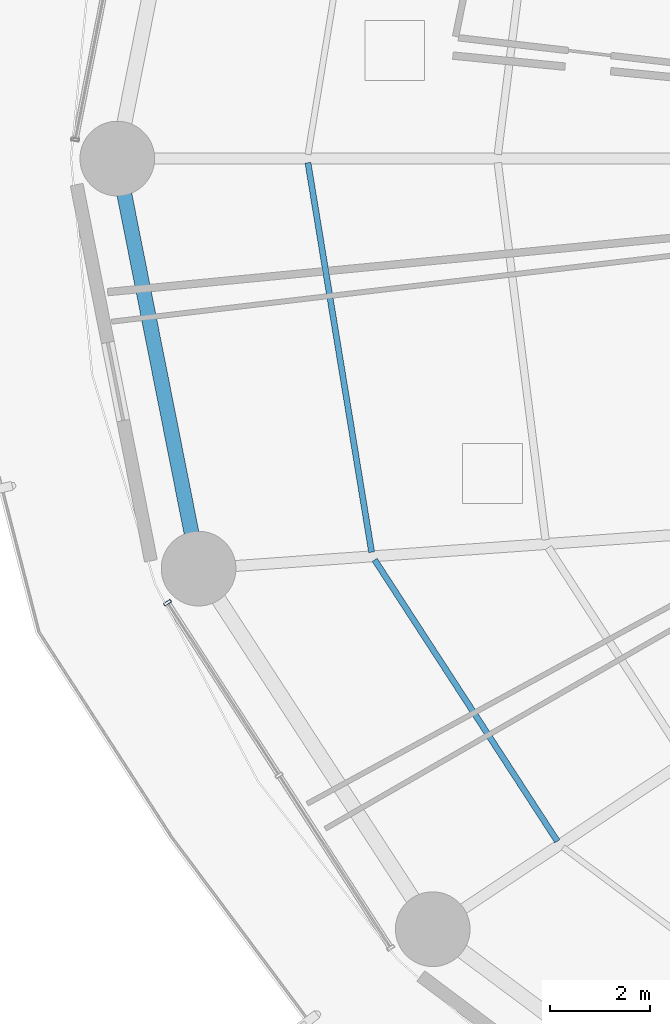
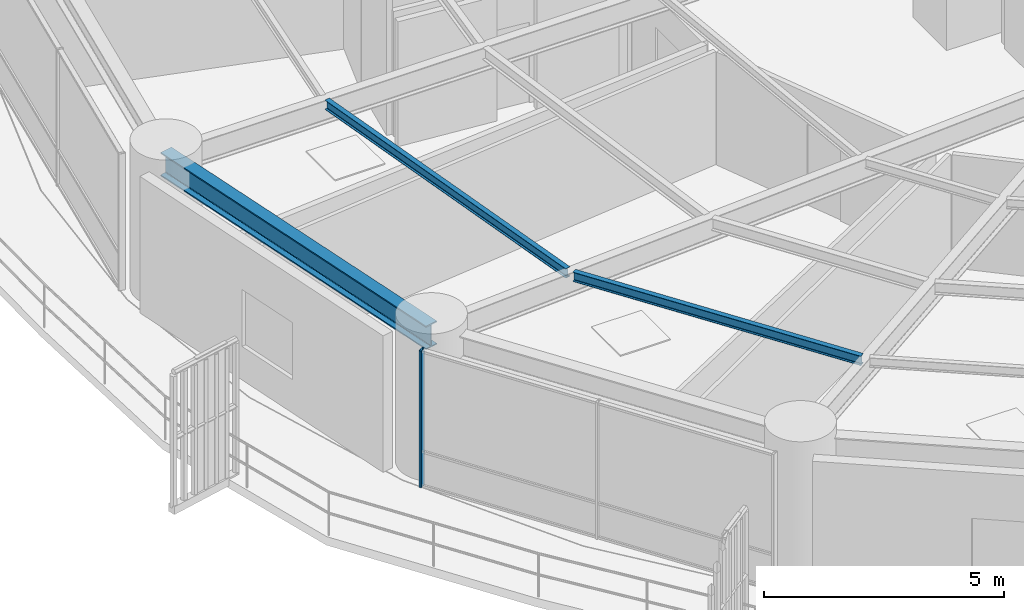
# One storey, part 4 of 32: 3 beams, 1 member, 1 element without a shape of its own.
"""IFC4 building model written with IfcOpenShell, lengths in metres."""

from ifc_helpers import new_model, si_unit, direction, frame, origin, origin_2d, place, context, subcontext, project, spatial, hollow_rectangle, i_section, extrude, material, layer, layer_set, material_profile, profile_set, type_object, element, aggregate, save


model = new_model("IFC4")

# Units and contexts
model_context = context("Model", 3, precision=1e-05, world=origin(), true_north=direction((0.0, 1.0)))
body_context = subcontext(model_context, "Body", "Model", "MODEL_VIEW")
ifc_project = project(units=[si_unit("LENGTHUNIT", "METRE"), si_unit("AREAUNIT", "SQUARE_METRE"), si_unit("VOLUMEUNIT", "CUBIC_METRE"), si_unit("PLANEANGLEUNIT", "RADIAN"), si_unit("MASSUNIT", "GRAM", prefix="KILO")], contexts=[model_context])

# Site, building, storey
site_placement = place(None, origin())
site = spatial("IfcSite", under=ifc_project, at=site_placement, CompositionType="ELEMENT")
building_placement = place(site_placement, origin())
building = spatial("IfcBuilding", under=site, at=building_placement, Name="Kelanora Arch Commons", CompositionType="ELEMENT")
storey_placement = place(building_placement, frame((0.0, 0.0, 48.75)))
storey = spatial("IfcBuildingStorey", under=building, at=storey_placement, Name="L12", CompositionType="ELEMENT", Elevation=48.75)

# Beams
ifc_material_1 = material(Name="Steel S355", Category="steel")
ifc_material_profile_1 = material_profile(ifc_material_1, i_section(OverallWidth=0.1201171875, OverallDepth=0.239990234375, WebThickness=0.006103515625, FlangeThickness=0.009765625, FilletRadius=0.014892578125, at=origin_2d()), Name="IPE240")
ifc_profile_set_1 = profile_set([ifc_material_profile_1], Name="Steel S355")
beam_type_1 = type_object("IfcBeamType", Name="BM-JST-02", PredefinedType="JOIST", material=ifc_profile_set_1)
beam_1_placement = place(storey_placement, frame((50.749755859375, 57.916015625, 3.3701171875), z_axis=(0.161400737199, -0.986888951216, 0.0), x_axis=(0.986888951216, 0.161400737199, 0.0)))
element("IfcBeam", 1, at=beam_1_placement, inside=storey, type_object=beam_type_1, Name="Secondary Chord Joist BJC-18 L12", PredefinedType="JOIST", context=body_context, shape_type="SweptSolid", body=[
    extrude(i_section(OverallWidth=0.1201171875, OverallDepth=0.239990234375, WebThickness=0.006103515625, FlangeThickness=0.009765625, FilletRadius=0.014892578125, at=origin_2d()), origin(), (0.0, 0.0, 1.0), 7.9248046875),
])
beam_2_placement = place(storey_placement, frame((52.0888671875, 49.940185546875, 3.3701171875), z_axis=(0.544550165372, -0.838728273873, 0.0), x_axis=(0.838728273873, 0.544550165372, 0.0)))
element("IfcBeam", 2, at=beam_2_placement, inside=storey, type_object=beam_type_1, Name="Secondary Chord Joist BJC-20 L12", PredefinedType="JOIST", context=body_context, shape_type="SweptSolid", body=[
    extrude(i_section(OverallWidth=0.1201171875, OverallDepth=0.239990234375, WebThickness=0.006103515625, FlangeThickness=0.009765625, FilletRadius=0.014892578125, at=origin_2d()), origin(), (0.0, 0.0, 1.0), 6.738037109375),
])
ifc_material_profile_2 = material_profile(ifc_material_1, i_section(OverallWidth=0.300048828125, OverallDepth=0.60009765625, WebThickness=0.015380859375, FlangeThickness=0.030029296875, FilletRadius=0.027099609375, at=origin_2d()), Name="HEB600")
ifc_profile_set_2 = profile_set([ifc_material_profile_2], Name="Steel S355")
beam_type_2 = type_object("IfcBeamType", Name="BM-SPN-Z1", PredefinedType="SPANDREL", material=ifc_profile_set_2)
beam_3_placement = place(storey_placement, frame((46.919921875, 58.0, 3.18994140625), z_axis=(0.194499827256, -0.980902552345, 0.0), x_axis=(0.980902552345, 0.194499827256, 0.0)))
element("IfcBeam", 3, at=beam_3_placement, inside=storey, type_object=beam_type_2, Name="Perimeter Spandrel Beam BS-18 L12", PredefinedType="SPANDREL", context=body_context, shape_type="SweptSolid", body=[
    extrude(i_section(OverallWidth=0.300048828125, OverallDepth=0.60009765625, WebThickness=0.015380859375, FlangeThickness=0.030029296875, FilletRadius=0.027099609375, at=origin_2d()), origin(), (0.0, 0.0, 1.0), 8.396240234375),
])

# Curtain wall, member
ifc_material_2 = material(Name="Terracotta ceramic-fritted low-E glass and aluminium", Category="masonry")
ifc_layer = layer(ifc_material_2, 0.159912109375)
ifc_layer_set = layer_set([ifc_layer], Name="Terracotta ceramic-fritted low-E glass and aluminium")
curtain_wall_type = type_object("IfcCurtainWallType", Name="CW-SYS-01", PredefinedType="NOTDEFINED", material=ifc_layer_set)
curtain_wall_placement = place(storey_placement, origin())
curtain_wall = element("IfcCurtainWall", 4, at=curtain_wall_placement, inside=storey, type_object=curtain_wall_type, Name="Unitised Curtain Wall L12-B10", PredefinedType="NOTDEFINED")
ifc_material_3 = material(Name="Powder-coated aluminium terracotta", Category="masonry")
ifc_material_profile_3 = material_profile(ifc_material_3, hollow_rectangle(XDim=0.159912109375, YDim=0.06005859375, WallThickness=0.0048828125, InnerFilletRadius=0.0048828125, OuterFilletRadius=0.010009765625, at=origin_2d()), Name="CWM160x60")
ifc_profile_set_3 = profile_set([ifc_material_profile_3], Name="Powder-coated aluminium terracotta")
member_type = type_object("IfcMemberType", Name="CWM-STD", PredefinedType="MULLION", material=ifc_profile_set_3)
member_placement = place(storey_placement, frame((47.927734375, 49.07958984375, 0.0), z_axis=(0.0, 0.0, 1.0), x_axis=(0.83972982332, 0.543004441812, 0.0)))
member = element("IfcMember", 5, at=member_placement, type_object=member_type, Name="CW-01 mullion 1", PredefinedType="MULLION", context=body_context, shape_type="SweptSolid", body=[
    extrude(hollow_rectangle(XDim=0.159912109375, YDim=0.06005859375, WallThickness=0.0048828125, InnerFilletRadius=0.0048828125, OuterFilletRadius=0.010009765625, at=origin_2d()), origin(), (0.0, 0.0, 1.0), 3.47509765625),
])
aggregate(curtain_wall, [member])

save(model, "model.ifc")
